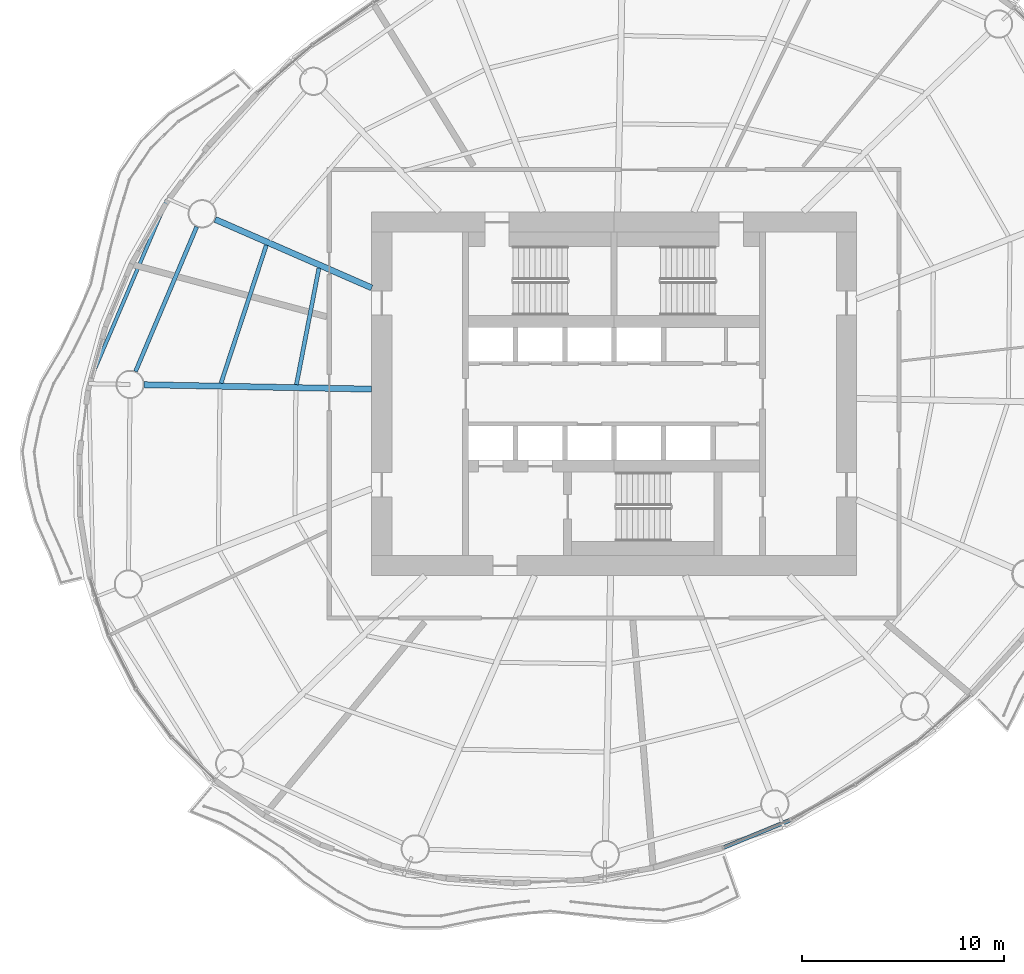
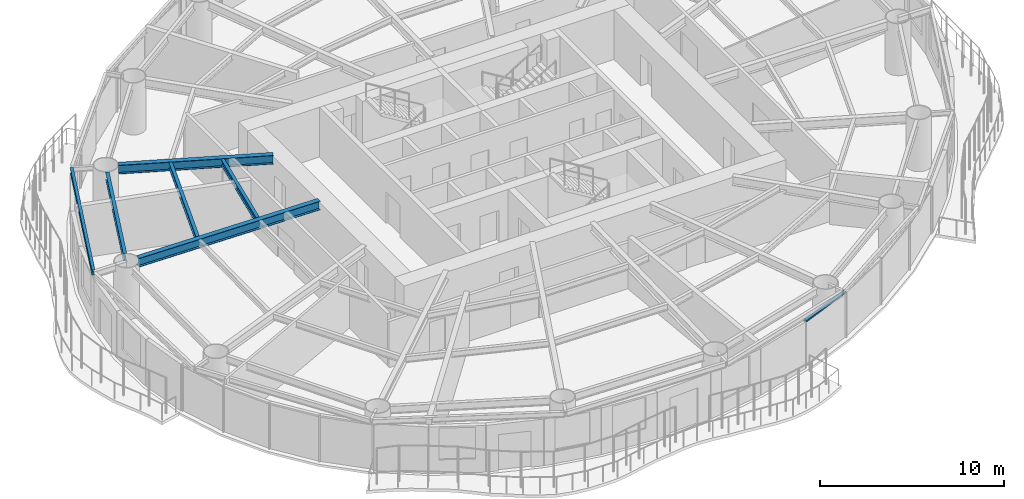
# One storey, part 3 of 15: 6 beams, 1 member, 1 element without a shape of its own.
"""IFC4 building model written with IfcOpenShell, lengths in metres."""

from ifc_helpers import new_model, si_unit, direction, frame, origin, origin_2d, place, context, subcontext, project, spatial, rectangle, i_section, extrude, material, material_profile, profile_set, type_object, element, aggregate, save


model = new_model("IFC4")

# Units and contexts
model_context = context("Model", 3, precision=1e-05, world=origin(), true_north=direction((0.0, 1.0)))
body_context = subcontext(model_context, "Body", "Model", "MODEL_VIEW")
ifc_project = project(units=[si_unit("LENGTHUNIT", "METRE"), si_unit("AREAUNIT", "SQUARE_METRE"), si_unit("VOLUMEUNIT", "CUBIC_METRE"), si_unit("PLANEANGLEUNIT", "RADIAN"), si_unit("MASSUNIT", "GRAM", prefix="KILO")], contexts=[model_context])

# Site, building, storey
site_placement = place(None, origin())
site = spatial("IfcSite", under=ifc_project, at=site_placement, CompositionType="ELEMENT")
building_placement = place(site_placement, origin())
building = spatial("IfcBuilding", under=site, at=building_placement, Name="Vermilion Reach Broadcast Tower", CompositionType="ELEMENT")
storey_placement = place(building_placement, frame((0.0, 0.0, 161.39990234375)))
storey = spatial("IfcBuildingStorey", under=building, at=storey_placement, Name="L38", CompositionType="ELEMENT", Elevation=161.39990234375)

# Beams
ifc_material_1 = material(Name="Steel S355J2", Category="steel")
ifc_material_profile_1 = material_profile(ifc_material_1, i_section(OverallWidth=0.175048828125, OverallDepth=0.35009765625, WebThickness=0.007080078125, FlangeThickness=0.010986328125, at=origin_2d()), Name="S355J2 HN 350x175x7x11")
ifc_profile_set_1 = profile_set([ifc_material_profile_1], Name="Steel S355J2")
beam_type_1 = type_object("IfcBeamType", Name="EB3 HN 350x175x7x11", PredefinedType="BEAM", material=ifc_profile_set_1)
beam_1_placement = place(storey_placement, frame((-28.134033203125, 9.5927734375, 3.275146484375), z_axis=(-0.392064127314, -0.919937889248, 0.0), x_axis=(0.919937889248, -0.392064127314, 0.0)))
element("IfcBeam", 1, at=beam_1_placement, inside=storey, type_object=beam_type_1, Name="Edge beam EB3-06", PredefinedType="BEAM", context=body_context, shape_type="SweptSolid", body=[
    extrude(i_section(OverallWidth=0.175048828125, OverallDepth=0.35009765625, WebThickness=0.007080078125, FlangeThickness=0.010986328125, at=origin_2d()), origin(), (0.0, 0.0, 1.0), 9.772216796875),
])
ifc_material_2 = material(Name="Steel S355J2", Category="steel")
ifc_material_profile_2 = material_profile(ifc_material_2, i_section(OverallWidth=0.300048828125, OverallDepth=0.587890625, WebThickness=0.011962890625, FlangeThickness=0.02001953125, at=origin_2d()), Name="S355J2 HM 588x300x12x20")
ifc_profile_set_2 = profile_set([ifc_material_profile_2], Name="Steel S355J2")
beam_type_2 = type_object("IfcBeamType", Name="G3 HM 588x300x12x20", PredefinedType="BEAM", material=ifc_profile_set_2)
beam_2_placement = place(storey_placement, frame((-18.0, 5.2451171875, 3.156005859375), z_axis=(-0.916287847036, 0.400520388213, 0.0), x_axis=(-0.400520388213, -0.916287847036, 0.0)))
element("IfcBeam", 2, at=beam_2_placement, inside=storey, type_object=beam_type_2, Name="Girder G3-06", PredefinedType="BEAM", context=body_context, shape_type="SweptSolid", body=[
    extrude(i_section(OverallWidth=0.300048828125, OverallDepth=0.587890625, WebThickness=0.011962890625, FlangeThickness=0.02001953125, at=origin_2d()), origin(), (0.0, 0.0, 1.0), 8.45458984375),
])
beam_3_placement = place(storey_placement, frame((-18.0, 0.232421875, 3.156005859375), z_axis=(-0.999812170888, 0.019380994401, 0.0), x_axis=(-0.019380994401, -0.999812170888, 0.0)))
element("IfcBeam", 3, at=beam_3_placement, inside=storey, type_object=beam_type_2, Name="Girder G3-07", PredefinedType="BEAM", context=body_context, shape_type="SweptSolid", body=[
    extrude(i_section(OverallWidth=0.300048828125, OverallDepth=0.587890625, WebThickness=0.011962890625, FlangeThickness=0.02001953125, at=origin_2d()), origin(), (0.0, 0.0, 1.0), 11.26171875),
])
ifc_material_3 = material(Name="Steel S355J2", Category="steel")
ifc_material_profile_3 = material_profile(ifc_material_3, i_section(OverallWidth=0.199951171875, OverallDepth=0.5, WebThickness=0.010009765625, FlangeThickness=0.01611328125, at=origin_2d()), Name="S355J2 HN 500x200x10x16")
ifc_profile_set_3 = profile_set([ifc_material_profile_3], Name="Steel S355J2")
beam_type_3 = type_object("IfcBeamType", Name="RB3 HN 500x200x10x16", PredefinedType="BEAM", material=ifc_profile_set_3)
beam_4_placement = place(storey_placement, frame((-26.660888671875, 8.266845703125, 3.2001953125), z_axis=(-0.389368386196, -0.921082113512, 0.0), x_axis=(0.921082113512, -0.389368386196, 0.0)))
element("IfcBeam", 4, at=beam_4_placement, inside=storey, type_object=beam_type_3, Name="Ring beam RB3-06", PredefinedType="BEAM", context=body_context, shape_type="SweptSolid", body=[
    extrude(i_section(OverallWidth=0.199951171875, OverallDepth=0.5, WebThickness=0.010009765625, FlangeThickness=0.01611328125, at=origin_2d()), origin(), (0.0, 0.0, 1.0), 7.771240234375),
])
ifc_material_4 = material(Name="Steel S355J2", Category="steel")
ifc_material_profile_4 = material_profile(ifc_material_4, i_section(OverallWidth=0.199951171875, OverallDepth=0.39990234375, WebThickness=0.008056640625, FlangeThickness=0.012939453125, at=origin_2d()), Name="S355J2 HN 400x200x8x13")
ifc_profile_set_4 = profile_set([ifc_material_profile_4], Name="Steel S355J2")
beam_type_4 = type_object("IfcBeamType", Name="SB3 HN 400x200x8x13", PredefinedType="BEAM", material=ifc_profile_set_4)
beam_5_placement = place(storey_placement, frame((-20.611328125, 6.222900390625, 3.25), z_axis=(-0.189462365782, -0.981887983404, 0.0), x_axis=(0.981887983404, -0.189462365782, 0.0)))
element("IfcBeam", 5, at=beam_5_placement, inside=storey, type_object=beam_type_4, Name="Secondary beam SB3-06-1", PredefinedType="BEAM", context=body_context, shape_type="SweptSolid", body=[
    extrude(i_section(OverallWidth=0.199951171875, OverallDepth=0.39990234375, WebThickness=0.008056640625, FlangeThickness=0.012939453125, at=origin_2d()), origin(), (0.0, 0.0, 1.0), 5.874755859375),
])
beam_6_placement = place(storey_placement, frame((-23.211669921875, 7.359375, 3.25), z_axis=(-0.312243016281, -0.950002262515, 0.0), x_axis=(0.950002262515, -0.312243016281, 0.0)))
element("IfcBeam", 6, at=beam_6_placement, inside=storey, type_object=beam_type_4, Name="Secondary beam SB3-06-2", PredefinedType="BEAM", context=body_context, shape_type="SweptSolid", body=[
    extrude(i_section(OverallWidth=0.199951171875, OverallDepth=0.39990234375, WebThickness=0.008056640625, FlangeThickness=0.012939453125, at=origin_2d()), origin(), (0.0, 0.0, 1.0), 7.19189453125),
])

# Curtain wall, member
ifc_material_5 = material(Name="Low-e laminated clear glass in aluminium frame", Category="aluminium")
curtain_wall_type = type_object("IfcCurtainWallType", Name="Slot curtain wall", PredefinedType="NOTDEFINED", material=ifc_material_5)
curtain_wall_placement = place(storey_placement, origin())
curtain_wall = element("IfcCurtainWall", 7, at=curtain_wall_placement, inside=storey, type_object=curtain_wall_type, Name="Slot curtain wall L38 34", PredefinedType="NOTDEFINED")
ifc_material_6 = material(Name="Anodised aluminium", Category="aluminium")
ifc_material_profile_5 = material_profile(ifc_material_6, rectangle(XDim=0.199951171875, YDim=0.10009765625, at=origin_2d()), Name="Slot transom 200 x 100")
ifc_profile_set_5 = profile_set([ifc_material_profile_5], Name="Anodised aluminium")
member_type = type_object("IfcMemberType", Name="Slot transom 200 x 100", PredefinedType="USERDEFINED", material=ifc_profile_set_5)
member_placement = place(storey_placement, frame((-0.570068359375, -22.45068359375, 3.050048828125), z_axis=(0.924403652398, 0.381415636062, 0.0), x_axis=(-0.381415636062, 0.924403652398, 0.0)))
member = element("IfcMember", 8, at=member_placement, type_object=member_type, Name="Slot transom L38 34.1", ObjectType="TRANSOM", PredefinedType="USERDEFINED", context=body_context, shape_type="SweptSolid", body=[
    extrude(rectangle(XDim=0.199951171875, YDim=0.10009765625, at=origin_2d()), origin(), (0.0, 0.0, 1.0), 3.540283203125),
])
aggregate(curtain_wall, [member])

save(model, "model.ifc")
